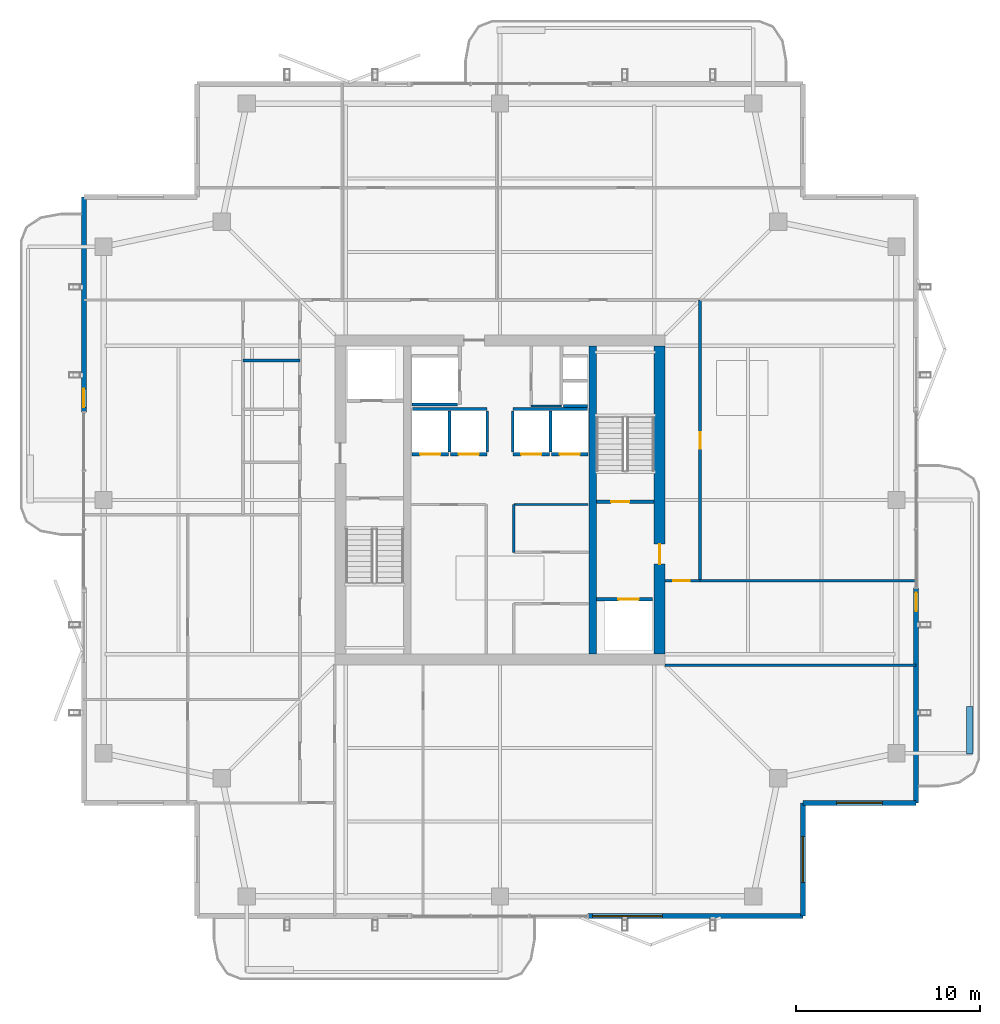
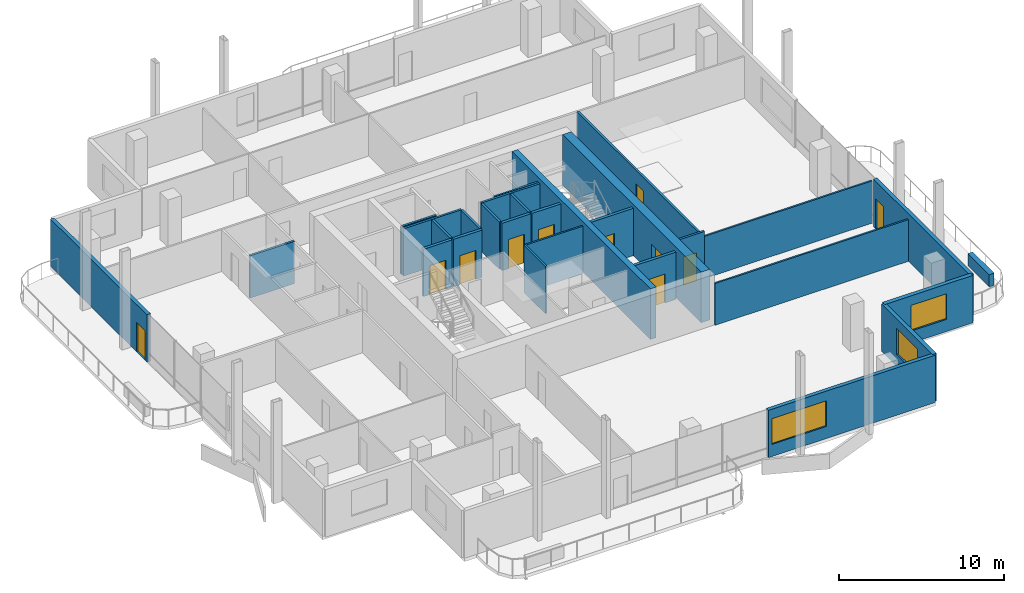
# One storey, part 15 of 20: 30 walls, 11 doors, 3 windows, 14 openings.
"""IFC4 building model written with IfcOpenShell, lengths in metres."""

import ifcopenshell
import ifcopenshell.guid

model = None  # the IFC model being written
_history = None  # IfcOwnerHistory: only IFC2X3 demands one
_inside = {}  # id of a spatial element -> (the spatial element, [elements in it])
_under = {}  # id of a project, library or spatial element -> (it, [spatial elements below it])
_declared = {}  # id of a project -> (the project, [libraries it declares])
_typed = {}  # id of a type object -> (the type object, [elements of that type])
_made_of = {}  # id of a material, layer set ... -> (it, [elements and type objects made of it])


def new_model(schema):
    """Start an empty IFC model of exactly this schema.

    Asked for "IFC4X3", IfcOpenShell would pick the latest addendum, in which some entities
    have other attributes; the version numbers below select the first issue.
    IFC2X3 requires an IfcOwnerHistory on every rooted entity: one is made here for all.
    """
    global model, _history
    if schema == "IFC4X3":
        model = ifcopenshell.file(schema_version=(4, 3, 0, 0))
    else:
        model = ifcopenshell.file(schema=schema)
    _inside.clear()
    _under.clear()
    _declared.clear()
    _typed.clear()
    _made_of.clear()
    _history = None
    if model.schema == "IFC2X3":
        org = make("IfcOrganization", Name="unknown")
        user = make(
            "IfcPersonAndOrganization",
            ThePerson=make("IfcPerson", FamilyName="unknown"),
            TheOrganization=org,
        )
        app = make(
            "IfcApplication",
            ApplicationDeveloper=org,
            Version="unknown",
            ApplicationFullName="unknown",
            ApplicationIdentifier="unknown",
        )
        _history = make(
            "IfcOwnerHistory",
            OwningUser=user,
            OwningApplication=app,
            ChangeAction="ADDED",
            CreationDate=0,
        )
    return model


def make(cls, **values):
    """One entity of the class cls with the attributes given. An attribute that is None is left unset."""
    return model.create_entity(
        cls, **{name: value for name, value in values.items() if value is not None}
    )


def rooted(cls, **values):
    """An entity with a GlobalId (a new one), such as an element, a storey or a relation."""
    return make(cls, GlobalId=ifcopenshell.guid.new(), OwnerHistory=_history, **values)


def si_unit(unit_type, name, prefix=None):
    """IfcSIUnit, for example si_unit("LENGTHUNIT", "METRE", prefix="MILLI")."""
    return make("IfcSIUnit", UnitType=unit_type, Prefix=prefix, Name=name)


def assignment(units):
    """IfcUnitAssignment: the units of a project."""
    return None if units is None else make("IfcUnitAssignment", Units=units)


def point(xyz):
    """IfcCartesianPoint."""
    return None if xyz is None else make("IfcCartesianPoint", Coordinates=xyz)


def direction(xyz):
    """IfcDirection."""
    return None if xyz is None else make("IfcDirection", DirectionRatios=xyz)


def frame(location, z_axis=None, x_axis=None):
    """IfcAxis2Placement3D, a coordinate frame: its origin and axes. An axis left out is left unset."""
    return make(
        "IfcAxis2Placement3D",
        Location=point(location),
        Axis=direction(z_axis),
        RefDirection=direction(x_axis),
    )


def frame_2d(location, x_axis=None):
    """IfcAxis2Placement2D, a coordinate frame in the plane: its origin and x axis."""
    return make(
        "IfcAxis2Placement2D", Location=point(location), RefDirection=direction(x_axis)
    )


def origin():
    """The frame at (0, 0, 0) with its axes left unset."""
    return frame((0.0, 0.0, 0.0))


def place(relative_to, where):
    """IfcLocalPlacement: puts the frame where relative to a parent placement (None: the world)."""
    return make(
        "IfcLocalPlacement", PlacementRelTo=relative_to, RelativePlacement=where
    )


def context(
    kind, dimensions, precision=None, world=None, true_north=None, identifier=None
):
    """IfcGeometricRepresentationContext, for example the 3D "Model" context."""
    return make(
        "IfcGeometricRepresentationContext",
        ContextIdentifier=identifier,
        ContextType=kind,
        CoordinateSpaceDimension=dimensions,
        Precision=precision,
        WorldCoordinateSystem=world,
        TrueNorth=true_north,
    )


def subcontext(parent, identifier, kind, view, scale=None):
    """IfcGeometricRepresentationSubContext, for example "Body" below "Model"."""
    return make(
        "IfcGeometricRepresentationSubContext",
        ContextIdentifier=identifier,
        ContextType=kind,
        ParentContext=parent,
        TargetScale=scale,
        TargetView=view,
    )


def project(units=None, contexts=None):
    """IfcProject with its units and contexts."""
    return rooted(
        "IfcProject",
        Name="project",
        RepresentationContexts=contexts,
        UnitsInContext=assignment(units),
    )


def spatial(cls, under=None, at=None, **own):
    """A site, building, storey or space (cls), placed at a placement, below another one or the project."""
    s = rooted(cls, ObjectPlacement=at, **own)
    if under is not None:
        _under.setdefault(under.id(), (under, []))[1].append(s)
    return s


def profile(cls, at=None, kind="AREA", **sizes):
    """A parametric profile (cls). Its sizes go by their IFC names, for example OverallWidth=200.0."""
    return make(cls, ProfileType=kind, Position=at, **sizes)


def rectangle(**sizes):
    """IfcRectangleProfileDef."""
    return profile("IfcRectangleProfileDef", **sizes)


def extrude(swept, where, along, depth):
    """IfcExtrudedAreaSolid: the profile swept, set in the frame where, extruded along a direction by depth."""
    return make(
        "IfcExtrudedAreaSolid",
        SweptArea=swept,
        Position=where,
        ExtrudedDirection=direction(along),
        Depth=depth,
    )


def shape(context_of_items, identifier, shape_type, items):
    """IfcShapeRepresentation: the items that make up one representation, for example the "Body"."""
    return make(
        "IfcShapeRepresentation",
        ContextOfItems=context_of_items,
        RepresentationIdentifier=identifier,
        RepresentationType=shape_type,
        Items=items,
    )


def material(Name=None, Category=None):
    """IfcMaterial."""
    return make("IfcMaterial", Name=Name, Category=Category)


def layer(
    of_material, thickness, ventilated=None, Name=None, Category=None, Priority=None
):
    """IfcMaterialLayer: one layer of a wall or slab, of a material (None: an air gap)."""
    return make(
        "IfcMaterialLayer",
        Material=of_material,
        LayerThickness=thickness,
        IsVentilated=ventilated,
        Name=Name,
        Category=Category,
        Priority=Priority,
    )


def layer_set(layers, Name=None):
    """IfcMaterialLayerSet."""
    return make("IfcMaterialLayerSet", MaterialLayers=layers, LayerSetName=Name)


def made_of(thing, what):
    """Note that an element or type object is made of a material, layer set ...; save() writes the relation."""
    if what is not None:
        _made_of.setdefault(what.id(), (what, []))[1].append(thing)
    return thing


def type_object(cls, material=None, **own):
    """A type object (cls), such as IfcWallType, which elements share."""
    return made_of(rooted(cls, **own), material)


def element(
    cls,
    number,
    at=None,
    inside=None,
    cuts=None,
    type_object=None,
    material=None,
    context=None,
    identifier="Body",
    shape_type=None,
    held_by="IfcProductDefinitionShape",
    body=None,
    shapes=None,
    **own,
):
    """One element of the class cls, such as IfcWall. Its Tag is "e" and its number.

    at: its placement. inside: the storey or other place that contains it. cuts: it is an
    opening in that element (IfcRelVoidsElement). A single representation is given by context,
    identifier, shape_type and body (its items); several are given by shapes. held_by: the class
    of the entity that holds the representations. save() writes the other relations.
    """
    e = rooted(cls, Tag="e%d" % number, ObjectPlacement=at, **own)
    if body is not None:
        shapes = [shape(context, identifier, shape_type, body)]
    if shapes is not None:
        e.Representation = make(held_by, Representations=shapes)
    if inside is not None:
        _inside.setdefault(inside.id(), (inside, []))[1].append(e)
    if cuts is not None:
        rooted(
            "IfcRelVoidsElement", RelatingBuildingElement=cuts, RelatedOpeningElement=e
        )
    if type_object is not None:
        _typed.setdefault(type_object.id(), (type_object, []))[1].append(e)
    return made_of(e, material)


def fill(opening, filler):
    """IfcRelFillsElement: the door or window that sits in an opening."""
    return rooted(
        "IfcRelFillsElement",
        RelatingOpeningElement=opening,
        RelatedBuildingElement=filler,
    )


def aggregate(whole, parts):
    """IfcRelAggregates: a whole, such as a stair, and the parts it consists of."""
    return rooted("IfcRelAggregates", RelatingObject=whole, RelatedObjects=parts)


def save(model, path):
    """Write the relations noted so far, then the file.

    IfcRelAggregates (storeys below a building ...), IfcRelContainedInSpatialStructure (elements
    in a storey), IfcRelDefinesByType, IfcRelAssociatesMaterial and IfcRelDeclares: one each for
    every whole, place, type object, material and project.
    """
    for whole, parts in _under.values():
        aggregate(whole, parts)
    for where, things in _inside.values():
        rooted(
            "IfcRelContainedInSpatialStructure",
            RelatedElements=things,
            RelatingStructure=where,
        )
    for kind, things in _typed.values():
        rooted("IfcRelDefinesByType", RelatedObjects=things, RelatingType=kind)
    for what, things in _made_of.values():
        rooted("IfcRelAssociatesMaterial", RelatedObjects=things, RelatingMaterial=what)
    for by, libraries in _declared.values():
        rooted("IfcRelDeclares", RelatingContext=by, RelatedDefinitions=libraries)
    model.write(path)


model = new_model("IFC4")

# Units and contexts
model_context = context("Model", 3, precision=1e-05, world=origin(), true_north=direction((0.0, 1.0)))
body_context = subcontext(model_context, "Body", "Model", "MODEL_VIEW")
ifc_project = project(units=[si_unit("LENGTHUNIT", "METRE"), si_unit("AREAUNIT", "SQUARE_METRE"), si_unit("VOLUMEUNIT", "CUBIC_METRE"), si_unit("PLANEANGLEUNIT", "RADIAN"), si_unit("MASSUNIT", "GRAM", prefix="KILO")], contexts=[model_context])

# Site, building, storey
site_placement = place(None, origin())
site = spatial("IfcSite", under=ifc_project, at=site_placement, CompositionType="ELEMENT")
building_placement = place(site_placement, origin())
building = spatial("IfcBuilding", under=site, at=building_placement, Name="Belovzor Exchange Tower", CompositionType="ELEMENT")
storey_placement = place(building_placement, frame((0.0, 0.0, 314.25)))
storey = spatial("IfcBuildingStorey", under=building, at=storey_placement, Name="L78", CompositionType="ELEMENT", Elevation=314.25)

# Walls
ifc_material_1 = material(Name="Acoustic Plasterboard on Galvanised Studs", Category="gypsum")
ifc_layer_1 = layer(ifc_material_1, 0.1201171875)
ifc_layer_set_1 = layer_set([ifc_layer_1], Name="Acoustic Plasterboard on Galvanised Studs")
wall_type_1 = type_object("IfcWallType", Name="Acoustic Double-Stud Partition Wall 120", PredefinedType="PARTITIONING", material=ifc_layer_set_1)
wall_1_placement = place(storey_placement, frame((37.800048828125, 19.800048828125, 0.0), z_axis=(0.0, 0.0, 1.0), x_axis=(1.0, 0.0, 0.0)))
element("IfcWall", 1, at=wall_1_placement, inside=storey, type_object=wall_type_1, Name="W-P120 Partition Wall W-L78-ESS", PredefinedType="PARTITIONING", context=body_context, shape_type="SweptSolid", body=[
    extrude(rectangle(XDim=13.669921875, YDim=0.1201171875, at=frame_2d((6.8349609375, 0.0))), origin(), (0.0, 0.0, 1.0), 3.094970703125),
])
wall_2_placement = place(storey_placement, frame((39.699951171875, 24.39990234375, 0.0), z_axis=(0.0, 0.0, 1.0), x_axis=(1.0, 0.0, 0.0)))
element("IfcWall", 2, at=wall_2_placement, inside=storey, type_object=wall_type_1, Name="W-P120 Partition Wall W-L78-ESN", PredefinedType="PARTITIONING", context=body_context, shape_type="SweptSolid", body=[
    extrude(rectangle(XDim=11.77001953125, YDim=0.1201171875, at=frame_2d((5.885009765625, 0.0))), origin(), (0.0, 0.0, 1.0), 3.135009765625),
])
ifc_material_2 = material(Name="Fire-Rated Plasterboard on Galvanised Studs", Category="gypsum")
ifc_layer_2 = layer(ifc_material_2, 0.1201171875)
ifc_layer_set_2 = layer_set([ifc_layer_2], Name="Fire-Rated Plasterboard on Galvanised Studs")
wall_type_2 = type_object("IfcWallType", Name="Fire-Rated Double-Stud Partition Wall 120", PredefinedType="PARTITIONING", material=ifc_layer_set_2)
wall_3_placement = place(storey_placement, frame((30.5, 33.925048828125, 0.0), z_axis=(0.0, 0.0, 1.0), x_axis=(1.0, 0.0, 0.0)))
element("IfcWall", 3, at=wall_3_placement, inside=storey, type_object=wall_type_2, Name="W-P120F Partition Wall W-CRV-L78-S", PredefinedType="PARTITIONING", context=body_context, shape_type="SweptSolid", body=[
    extrude(rectangle(XDim=1.64990234375, YDim=0.1201171875, at=frame_2d((0.824951171875, 0.0))), origin(), (0.0, 0.0, 1.0), 3.510009765625),
])
wall_4_placement = place(storey_placement, frame((29.550048828125, 28.550048828125, 0.0), z_axis=(0.0, 0.0, 1.0), x_axis=(1.0, 0.0, 0.0)))
element("IfcWall", 4, at=wall_4_placement, inside=storey, type_object=wall_type_2, Name="W-P120F Partition Wall W-CRM-L78-EN", PredefinedType="PARTITIONING", context=body_context, shape_type="SweptSolid", body=[
    extrude(rectangle(XDim=4.050048828125, YDim=0.1201171875, at=frame_2d((2.02490234375, 0.0))), origin(), (0.0, 0.0, 1.0), 3.510009765625),
])
wall_5_placement = place(storey_placement, frame((29.550048828125, 25.949951171875, 0.0), z_axis=(0.0, 0.0, 1.0), x_axis=(0.0, 1.0, 0.0)))
element("IfcWall", 5, at=wall_5_placement, inside=storey, type_object=wall_type_2, Name="W-P120F Partition Wall W-CRM-L78-EW", PredefinedType="PARTITIONING", context=body_context, shape_type="SweptSolid", body=[
    extrude(rectangle(XDim=2.60009765625, YDim=0.1201171875, at=frame_2d((1.300048828125, 0.0))), origin(), (0.0, 0.0, 1.0), 3.510009765625),
])
ifc_material_3 = material(Name="Fire-Rated Gypsum Block and Mineral Wool", Category="gypsum")
ifc_layer_3 = layer(ifc_material_3, 0.14990234375)
ifc_layer_set_3 = layer_set([ifc_layer_3], Name="Fire-Rated Gypsum Block and Mineral Wool")
wall_type_3 = type_object("IfcWallType", Name="Fire-Rated Gypsum Block Corridor Wall 150", PredefinedType="PARTITIONING", material=ifc_layer_set_3)
wall_6_placement = place(storey_placement, frame((14.800048828125, 36.39990234375, 0.0), z_axis=(0.0, 0.0, 1.0), x_axis=(1.0, 0.0, 0.0)))
element("IfcWall", 6, at=wall_6_placement, inside=storey, type_object=wall_type_3, Name="W-P150 Partition Wall W-L78-WCN", PredefinedType="PARTITIONING", context=body_context, shape_type="SweptSolid", body=[
    extrude(rectangle(XDim=3.099853515625, YDim=0.14990234375, at=frame_2d((1.5498046875, 0.0))), origin(), (0.0, 0.0, 1.0), 3.135009765625),
])

# Wall, opening, door
wall_7_placement = place(storey_placement, frame((37.800048828125, 24.39990234375, 0.0), z_axis=(0.0, 0.0, 1.0), x_axis=(1.0, 0.0, 0.0)))
wall_7 = element("IfcWall", 7, at=wall_7_placement, inside=storey, type_object=wall_type_3, Name="W-P150 Partition Wall W-L78-CE-END", PredefinedType="PARTITIONING", context=body_context, shape_type="SweptSolid", body=[
    extrude(rectangle(XDim=1.89990234375, YDim=0.14990234375, at=frame_2d((0.949951171875, 0.0))), origin(), (0.0, 0.0, 1.0), 3.510009765625),
])
opening_1_placement = place(wall_7_placement, frame((0.449951171875, 0.0, 0.0)))
opening_1 = element("IfcOpeningElement", 8, at=opening_1_placement, cuts=wall_7, Name="Opening D-FD60-090", PredefinedType="OPENING", context=body_context, shape_type="SweptSolid", body=[
    extrude(rectangle(XDim=0.89990234375, YDim=2.10009765625, at=frame_2d((0.449951171875, 1.050048828125))), frame((0.0, 0.0849609375, 0.0), z_axis=(0.0, -1.0, 0.0), x_axis=(1.0, 0.0, 0.0)), (0.0, 0.0, 1.0), 0.169921875),
])
ifc_material_4 = material(Name="Acoustic Timber Fire Leaf", Category="wood")
door_type_1 = type_object("IfcDoorType", Name="Core Service & Restroom Fire Door 900x2100", OperationType="NOTDEFINED", PredefinedType="DOOR", material=ifc_material_4)
door_1_placement = place(opening_1_placement, origin())
door_1 = element("IfcDoor", 9, at=door_1_placement, inside=storey, type_object=door_type_1, Name="D-FD60-090 Core Service & Restroom Fire Door 900x2100", OperationType="SINGLE_SWING_LEFT", OverallHeight=2.10009765625, OverallWidth=0.89990234375, PredefinedType="DOOR", context=body_context, shape_type="SweptSolid", body=[
    extrude(rectangle(XDim=0.89990234375, YDim=2.10009765625, at=frame_2d((0.449951171875, 1.050048828125))), frame((0.0, 0.02490234375, 0.0), z_axis=(0.0, -1.0, 0.0), x_axis=(1.0, 0.0, 0.0)), (0.0, 0.0, 1.0), 0.050048828125),
])
fill(opening_1, door_1)

wall_8_placement = place(storey_placement, frame((39.699951171875, 24.39990234375, 0.0), z_axis=(0.0, 0.0, 1.0), x_axis=(0.0, 1.0, 0.0)))
wall_8 = element("IfcWall", 10, at=wall_8_placement, inside=storey, type_object=wall_type_3, Name="W-P150 Partition Wall W-L78-CE", PredefinedType="PARTITIONING", context=body_context, shape_type="SweptSolid", body=[
    extrude(rectangle(XDim=15.300048828125, YDim=0.14990234375, at=frame_2d((7.64990234375, 0.0))), origin(), (0.0, 0.0, 1.0), 3.094970703125),
])
opening_2_placement = place(wall_8_placement, frame((7.199951171875, 0.0, 0.0)))
opening_2 = element("IfcOpeningElement", 11, at=opening_2_placement, cuts=wall_8, Name="Opening D-INT-090", PredefinedType="OPENING", context=body_context, shape_type="SweptSolid", body=[
    extrude(rectangle(XDim=0.89990234375, YDim=2.10009765625, at=frame_2d((0.449951171875, 1.050048828125))), frame((0.0, 0.0849609375, 0.0), z_axis=(0.0, -1.0, 0.0), x_axis=(1.0, 0.0, 0.0)), (0.0, 0.0, 1.0), 0.169921875),
])
ifc_material_5 = material(Name="Veneered Hardwood Acoustic Leaf", Category="wood")
door_type_2 = type_object("IfcDoorType", Name="Trading Suite Acoustic Single Door 900x2100", OperationType="NOTDEFINED", PredefinedType="DOOR", material=ifc_material_5)
door_2_placement = place(opening_2_placement, origin())
door_2 = element("IfcDoor", 12, at=door_2_placement, inside=storey, type_object=door_type_2, Name="D-INT-090 Trading Suite Acoustic Single Door 900x2100", OperationType="SINGLE_SWING_RIGHT", OverallHeight=2.10009765625, OverallWidth=0.89990234375, PredefinedType="DOOR", context=body_context, shape_type="SweptSolid", body=[
    extrude(rectangle(XDim=0.89990234375, YDim=2.10009765625, at=frame_2d((0.449951171875, 1.050048828125))), frame((0.0, 0.02490234375, 0.0), z_axis=(0.0, -1.0, 0.0), x_axis=(1.0, 0.0, 0.0)), (0.0, 0.0, 1.0), 0.050048828125),
])
fill(opening_2, door_2)

# Wall, opening, window
ifc_material_6 = material(Name="Precast concrete C40/50", Category="concrete")
ifc_layer_4 = layer(ifc_material_6, 0.280029296875)
ifc_layer_set_4 = layer_set([ifc_layer_4], Name="Precast concrete C40/50")
wall_type_4 = type_object("IfcWallType", Name="Precast Concrete Notched Corner Frame Wall 280", PredefinedType="SOLIDWALL", material=ifc_layer_set_4)
wall_9_placement = place(storey_placement, frame((51.469970703125, 12.300048828125, 0.0), z_axis=(0.0, 0.0, 1.0), x_axis=(-1.0, 0.0, 0.0)))
wall_9 = element("IfcWall", 13, at=wall_9_placement, inside=storey, type_object=wall_type_4, Name="W-CRN280 Precast Concrete Notched Corner Frame Wall 280 L78", PredefinedType="SOLIDWALL", context=body_context, shape_type="SweptSolid", body=[
    extrude(rectangle(XDim=6.169921875, YDim=0.280029296875, at=frame_2d((3.0849609375, 0.0))), origin(), (0.0, 0.0, 1.0), 3.510009765625),
])
opening_3_placement = place(wall_9_placement, frame((1.8349609375, 0.0, 0.89990234375)))
opening_3 = element("IfcOpeningElement", 14, at=opening_3_placement, cuts=wall_9, Name="Opening WN-CRN250", PredefinedType="OPENING", context=body_context, shape_type="SweptSolid", body=[
    extrude(rectangle(XDim=2.5, YDim=1.89990234375, at=frame_2d((1.25, 0.949951171875))), frame((0.0, 0.14990234375, 0.0), z_axis=(0.0, -1.0, 0.0), x_axis=(1.0, 0.0, 0.0)), (0.0, 0.0, 1.0), 0.300048828125),
])
ifc_material_7 = material(Name="Thermally Broken Aluminium and Triple Glazing", Category="aluminium")
window_type_1 = type_object("IfcWindowType", Name="Streamline Moderne Corner Wrap Ribbon Window 2500x1900", PartitioningType="SINGLE_PANEL", PredefinedType="WINDOW", material=ifc_material_7)
window_1_placement = place(opening_3_placement, origin())
window_1 = element("IfcWindow", 15, at=window_1_placement, inside=storey, type_object=window_type_1, Name="WN-CRN250 Streamline Moderne Corner Wrap Ribbon Window 2500x1900", OverallHeight=1.89990234375, OverallWidth=2.5, PartitioningType="SINGLE_PANEL", PredefinedType="WINDOW", context=body_context, shape_type="SweptSolid", body=[
    extrude(rectangle(XDim=2.5, YDim=1.89990234375, at=frame_2d((1.25, 0.949951171875))), frame((0.0, 0.030029296875, 0.0), z_axis=(0.0, -1.0, 0.0), x_axis=(1.0, 0.0, 0.0)), (0.0, 0.0, 1.0), 0.06005859375),
])
fill(opening_3, window_1)

wall_10_placement = place(storey_placement, frame((45.300048828125, 12.300048828125, 0.0), z_axis=(0.0, 0.0, 1.0), x_axis=(0.0, -1.0, 0.0)))
wall_10 = element("IfcWall", 16, at=wall_10_placement, inside=storey, type_object=wall_type_4, Name="W-CRN280 Precast Concrete Notched Corner Frame Wall 280 L78", PredefinedType="SOLIDWALL", context=body_context, shape_type="SweptSolid", body=[
    extrude(rectangle(XDim=6.170166015625, YDim=0.280029296875, at=frame_2d((3.0849609375, 0.0))), origin(), (0.0, 0.0, 1.0), 3.510009765625),
])
opening_4_placement = place(wall_10_placement, frame((1.8349609375, 0.0, 0.89990234375)))
opening_4 = element("IfcOpeningElement", 17, at=opening_4_placement, cuts=wall_10, Name="Opening WN-CRN250", PredefinedType="OPENING", context=body_context, shape_type="SweptSolid", body=[
    extrude(rectangle(XDim=2.5, YDim=1.89990234375, at=frame_2d((1.25, 0.949951171875))), frame((0.0, 0.14990234375, 0.0), z_axis=(0.0, -1.0, 0.0), x_axis=(1.0, 0.0, 0.0)), (0.0, 0.0, 1.0), 0.300048828125),
])
window_2_placement = place(opening_4_placement, origin())
window_2 = element("IfcWindow", 18, at=window_2_placement, inside=storey, type_object=window_type_1, Name="WN-CRN250 Streamline Moderne Corner Wrap Ribbon Window 2500x1900", OverallHeight=1.89990234375, OverallWidth=2.5, PartitioningType="SINGLE_PANEL", PredefinedType="WINDOW", context=body_context, shape_type="SweptSolid", body=[
    extrude(rectangle(XDim=2.5, YDim=1.89990234375, at=frame_2d((1.25, 0.949951171875))), frame((0.0, 0.030029296875, 0.0), z_axis=(0.0, -1.0, 0.0), x_axis=(1.0, 0.0, 0.0)), (0.0, 0.0, 1.0), 0.06005859375),
])
fill(opening_4, window_2)

ifc_material_8 = material(Name="Precast concrete C40/50", Category="concrete")
ifc_layer_5 = layer(ifc_material_8, 0.260009765625)
ifc_layer_set_5 = layer_set([ifc_layer_5], Name="Precast concrete C40/50")
wall_type_5 = type_object("IfcWallType", Name="Precast Concrete Perimeter Loggia Frame Wall 260", PredefinedType="SOLIDWALL", material=ifc_layer_set_5)
wall_11_placement = place(storey_placement, frame((45.300048828125, 6.1298828125, 0.0), z_axis=(0.0, 0.0, 1.0), x_axis=(-1.0, 0.0, 0.0)))
wall_11 = element("IfcWall", 19, at=wall_11_placement, inside=storey, type_object=wall_type_5, Name="W-EXT260 Precast Concrete Perimeter Loggia Frame Wall 260 L78", PredefinedType="SOLIDWALL", context=body_context, shape_type="SweptSolid", body=[
    extrude(rectangle(XDim=11.699951171875, YDim=0.260009765625, at=frame_2d((5.85009765625, 0.0))), origin(), (0.0, 0.0, 1.0), 3.510009765625),
])
opening_5_placement = place(wall_11_placement, frame((7.64990234375, 0.0, 0.89990234375)))
opening_5 = element("IfcOpeningElement", 20, at=opening_5_placement, cuts=wall_11, Name="Opening WN-RIB380", PredefinedType="OPENING", context=body_context, shape_type="SweptSolid", body=[
    extrude(rectangle(XDim=3.800048828125, YDim=1.89990234375, at=frame_2d((1.89990234375, 0.949951171875))), frame((0.0, 0.139892578125, 0.0), z_axis=(0.0, -1.0, 0.0), x_axis=(1.0, 0.0, 0.0)), (0.0, 0.0, 1.0), 0.280029296875),
])
ifc_material_9 = material(Name="Thermally Broken Aluminium and Triple Glazing", Category="aluminium")
window_type_2 = type_object("IfcWindowType", Name="Streamline Moderne Horizontal Ribbon Window 3800x1900", PartitioningType="SINGLE_PANEL", PredefinedType="WINDOW", material=ifc_material_9)
window_3_placement = place(opening_5_placement, origin())
window_3 = element("IfcWindow", 21, at=window_3_placement, inside=storey, type_object=window_type_2, Name="WN-RIB380 Streamline Moderne Horizontal Ribbon Window 3800x1900", OverallHeight=1.89990234375, OverallWidth=3.800048828125, PartitioningType="SINGLE_PANEL", PredefinedType="WINDOW", context=body_context, shape_type="SweptSolid", body=[
    extrude(rectangle(XDim=3.800048828125, YDim=1.89990234375, at=frame_2d((1.89990234375, 0.949951171875))), frame((0.0, 0.030029296875, 0.0), z_axis=(0.0, -1.0, 0.0), x_axis=(1.0, 0.0, 0.0)), (0.0, 0.0, 1.0), 0.06005859375),
])
fill(opening_5, window_3)

# Wall, opening, door
wall_12_placement = place(storey_placement, frame((6.1298828125, 33.60009765625, 0.0), z_axis=(0.0, 0.0, 1.0), x_axis=(0.0, 1.0, 0.0)))
wall_12 = element("IfcWall", 22, at=wall_12_placement, inside=storey, type_object=wall_type_5, Name="W-EXT260 Precast Concrete Perimeter Loggia Frame Wall 260 L78", PredefinedType="SOLIDWALL", context=body_context, shape_type="SweptSolid", body=[
    extrude(rectangle(XDim=11.699951171875, YDim=0.260009765625, at=frame_2d((5.85009765625, 0.0))), origin(), (0.0, 0.0, 1.0), 3.510009765625),
])
opening_6_placement = place(wall_12_placement, frame((0.25, 0.0, 0.0)))
opening_6 = element("IfcOpeningElement", 23, at=opening_6_placement, cuts=wall_12, Name="Opening D-BAL100", PredefinedType="OPENING", context=body_context, shape_type="SweptSolid", body=[
    extrude(rectangle(XDim=1.0, YDim=2.199951171875, at=frame_2d((0.5, 1.10009765625))), frame((0.0, 0.139892578125, 0.0), z_axis=(0.0, -1.0, 0.0), x_axis=(1.0, 0.0, 0.0)), (0.0, 0.0, 1.0), 0.280029296875),
])
ifc_material_10 = material(Name="Thermally Broken Anodised Aluminium and Laminated Glass", Category="aluminium")
door_type_3 = type_object("IfcDoorType", Name="Planted Loggia Terrace Glazed Door 1000x2200", OperationType="SINGLE_SWING_LEFT", PredefinedType="DOOR", material=ifc_material_10)
door_3_placement = place(opening_6_placement, origin())
door_3 = element("IfcDoor", 24, at=door_3_placement, inside=storey, type_object=door_type_3, Name="D-BAL100 Balcony Terrace Door L78 W", OperationType="SINGLE_SWING_RIGHT", OverallHeight=2.199951171875, OverallWidth=1.0, PredefinedType="DOOR", context=body_context, shape_type="SweptSolid", body=[
    extrude(rectangle(XDim=1.0, YDim=2.199951171875, at=frame_2d((0.5, 1.10009765625))), frame((0.0, 0.02490234375, 0.0), z_axis=(0.0, -1.0, 0.0), x_axis=(1.0, 0.0, 0.0)), (0.0, 0.0, 1.0), 0.050048828125),
])
fill(opening_6, door_3)

wall_13_placement = place(storey_placement, frame((51.469970703125, 24.0, 0.0), z_axis=(0.0, 0.0, 1.0), x_axis=(0.0, -1.0, 0.0)))
wall_13 = element("IfcWall", 25, at=wall_13_placement, inside=storey, type_object=wall_type_5, Name="W-EXT260 Precast Concrete Perimeter Loggia Frame Wall 260 L78", PredefinedType="SOLIDWALL", context=body_context, shape_type="SweptSolid", body=[
    extrude(rectangle(XDim=11.699951171875, YDim=0.260009765625, at=frame_2d((5.85009765625, 0.0))), origin(), (0.0, 0.0, 1.0), 3.510009765625),
])
opening_7_placement = place(wall_13_placement, frame((0.25, 0.0, 0.0)))
opening_7 = element("IfcOpeningElement", 26, at=opening_7_placement, cuts=wall_13, Name="Opening D-BAL100", PredefinedType="OPENING", context=body_context, shape_type="SweptSolid", body=[
    extrude(rectangle(XDim=1.0, YDim=2.199951171875, at=frame_2d((0.5, 1.10009765625))), frame((0.0, 0.139892578125, 0.0), z_axis=(0.0, -1.0, 0.0), x_axis=(1.0, 0.0, 0.0)), (0.0, 0.0, 1.0), 0.280029296875),
])
door_4_placement = place(opening_7_placement, origin())
door_4 = element("IfcDoor", 27, at=door_4_placement, inside=storey, type_object=door_type_3, Name="D-BAL100 Balcony Terrace Door L78 E", OperationType="SINGLE_SWING_LEFT", OverallHeight=2.199951171875, OverallWidth=1.0, PredefinedType="DOOR", context=body_context, shape_type="SweptSolid", body=[
    extrude(rectangle(XDim=1.0, YDim=2.199951171875, at=frame_2d((0.5, 1.10009765625))), frame((0.0, 0.02490234375, 0.0), z_axis=(0.0, -1.0, 0.0), x_axis=(1.0, 0.0, 0.0)), (0.0, 0.0, 1.0), 0.050048828125),
])
fill(opening_7, door_4)

# Walls
ifc_material_11 = material(Name="Precast concrete C40/50", Category="concrete")
ifc_layer_6 = layer(ifc_material_11, 0.35009765625)
ifc_layer_set_6 = layer_set([ifc_layer_6], Name="Precast concrete C40/50")
wall_type_6 = type_object("IfcWallType", Name="Precast Concrete Structural Tree Planter Trough 350", PredefinedType="PARAPET", material=ifc_layer_set_6)
wall_14_placement = place(storey_placement, frame((54.39990234375, 14.949951171875, 0.0), z_axis=(0.0, 0.0, 1.0), x_axis=(0.0, 1.0, 0.0)))
element("IfcWall", 28, at=wall_14_placement, inside=storey, type_object=wall_type_6, Name="PT-350 Precast Concrete Structural Tree Planter Trough 350 L78", PredefinedType="PARAPET", context=body_context, shape_type="SweptSolid", body=[
    extrude(rectangle(XDim=2.60009765625, YDim=0.35009765625, at=frame_2d((1.300048828125, 0.0))), origin(), (0.0, 0.0, 1.0), 0.89990234375),
])
ifc_material_12 = material(Name="Concrete C50/60", Category="concrete")
ifc_layer_7 = layer(ifc_material_12, 0.39990234375)
ifc_layer_set_7 = layer_set([ifc_layer_7], Name="Concrete C50/60")
wall_type_7 = type_object("IfcWallType", Name="Reinforced Concrete Core Internal Web Wall 400", PredefinedType="SHEAR", material=ifc_layer_set_7)
wall_15_placement = place(storey_placement, frame((33.85009765625, 20.39990234375, 0.0), z_axis=(0.0, 0.0, 1.0), x_axis=(0.0, 1.0, 0.0)))
element("IfcWall", 29, at=wall_15_placement, inside=storey, type_object=wall_type_7, Name="CW-W040 Core Internal Web Wall L78 ER", PredefinedType="SHEAR", context=body_context, shape_type="SweptSolid", body=[
    extrude(rectangle(XDim=16.800048828125, YDim=0.39990234375, at=frame_2d((8.39990234375, 0.0))), origin(), (0.0, 0.0, 1.0), 3.75),
])
ifc_material_13 = material(Name="Concrete C50/60", Category="concrete")
ifc_layer_8 = layer(ifc_material_13, 0.14990234375)
ifc_layer_set_8 = layer_set([ifc_layer_8], Name="Concrete C50/60")
wall_type_8 = type_object("IfcWallType", Name="Reinforced Concrete Core Riser Shear Wall 150", PredefinedType="SHEAR", material=ifc_layer_set_8)
wall_16_placement = place(storey_placement, frame((32.25, 33.925048828125, 0.0), z_axis=(0.0, 0.0, 1.0), x_axis=(1.0, 0.0, 0.0)))
element("IfcWall", 30, at=wall_16_placement, inside=storey, type_object=wall_type_8, Name="W-C150S Core Shaft Wall W-RSR-L78-S", PredefinedType="SHEAR", context=body_context, shape_type="SweptSolid", body=[
    extrude(rectangle(XDim=1.330078125, YDim=0.14990234375, at=frame_2d((0.6650390625, 0.0))), origin(), (0.0, 0.0, 1.0), 3.510009765625),
])
wall_17_placement = place(storey_placement, frame((24.0, 34.0, 0.0), z_axis=(0.0, 0.0, 1.0), x_axis=(1.0, 0.0, 0.0)))
element("IfcWall", 31, at=wall_17_placement, inside=storey, type_object=wall_type_8, Name="W-C150S Core Shaft Wall W-SH-L78-SL-01S", PredefinedType="SHEAR", context=body_context, shape_type="SweptSolid", body=[
    extrude(rectangle(XDim=2.47998046875, YDim=0.14990234375, at=frame_2d((1.239990234375, 0.0))), origin(), (0.0, 0.0, 1.0), 3.510009765625),
])
for number, where, z_axis, x_axis, name in (
    (32, (24.02001953125, 33.760009765625, 0.0), (0.0, 0.0, 1.0), (1.0, 0.0, 0.0), "W-C150S Core Shaft Wall W-SHB-L78-PLH-NW"),
    (33, (29.5, 33.760009765625, 0.0), (0.0, 0.0, 1.0), (1.0, 0.0, 0.0), "W-C150S Core Shaft Wall W-SHB-L78-PLH-NE"),
):
    element("IfcWall", number, at=place(storey_placement, frame(where, z_axis=z_axis, x_axis=x_axis)), inside=storey, type_object=wall_type_8, Name=name, PredefinedType="SHEAR", context=body_context, shape_type="SweptSolid", body=[
        extrude(rectangle(XDim=4.080078125, YDim=0.14990234375, at=frame_2d((2.0400390625, 0.0))), origin(), (0.0, 0.0, 1.0), 3.510009765625),
    ])
for number, where, z_axis, x_axis, name in (
    (34, (26.050048828125, 31.419921875, 0.0), (0.0, 0.0, 1.0), (0.0, 1.0, 0.0), "W-C150S Core Shaft Wall W-SHD-L78-PLH-1"),
    (35, (28.10009765625, 31.419921875, 0.0), (0.0, 0.0, 1.0), (0.0, 1.0, 0.0), "W-C150S Core Shaft Wall W-SHD-L78-PLH-2"),
    (36, (29.5, 31.419921875, 0.0), (0.0, 0.0, 1.0), (0.0, 1.0, 0.0), "W-C150S Core Shaft Wall W-SHD-L78-PLH-3"),
    (37, (31.550048828125, 31.419921875, 0.0), (0.0, 0.0, 1.0), (0.0, 1.0, 0.0), "W-C150S Core Shaft Wall W-SHD-L78-PLH-4"),
):
    element("IfcWall", number, at=place(storey_placement, frame(where, z_axis=z_axis, x_axis=x_axis)), inside=storey, type_object=wall_type_8, Name=name, PredefinedType="SHEAR", context=body_context, shape_type="SweptSolid", body=[
        extrude(rectangle(XDim=2.239990234375, YDim=0.14990234375, at=frame_2d((1.1201171875, 0.0))), origin(), (0.0, 0.0, 1.0), 3.510009765625),
    ])

# Wall, opening, door
ifc_material_14 = material(Name="Concrete C50/60", Category="concrete")
ifc_layer_9 = layer(ifc_material_14, 0.199951171875)
ifc_layer_set_9 = layer_set([ifc_layer_9], Name="Concrete C50/60")
wall_type_9 = type_object("IfcWallType", Name="Reinforced Concrete Core Shaft Shear Wall 200", PredefinedType="SHEAR", material=ifc_layer_set_9)
wall_18_placement = place(storey_placement, frame((34.050048828125, 28.699951171875, 0.0), z_axis=(0.0, 0.0, 1.0), x_axis=(1.0, 0.0, 0.0)))
wall_18 = element("IfcWall", 38, at=wall_18_placement, inside=storey, type_object=wall_type_9, Name="W-C200S Core Shaft Wall W-CORE-L78-FFLE2", PredefinedType="SHEAR", context=body_context, shape_type="SweptSolid", body=[
    extrude(rectangle(XDim=3.14990234375, YDim=0.199951171875, at=frame_2d((1.574951171875, 0.0))), origin(), (0.0, 0.0, 1.0), 3.510009765625),
])
opening_8_placement = place(wall_18_placement, frame((0.800048828125, 0.0, 0.0)))
opening_8 = element("IfcOpeningElement", 39, at=opening_8_placement, cuts=wall_18, Name="Opening D-FD90-100", PredefinedType="OPENING", context=body_context, shape_type="SweptSolid", body=[
    extrude(rectangle(XDim=1.0, YDim=2.10009765625, at=frame_2d((0.5, 1.050048828125))), frame((0.0, 0.10986328125, 0.0), z_axis=(0.0, -1.0, 0.0), x_axis=(1.0, 0.0, 0.0)), (0.0, 0.0, 1.0), 0.219970703125),
])
ifc_material_15 = material(Name="Fire-Rated Galvanised Steel Leaf", Category="steel")
door_type_4 = type_object("IfcDoorType", Name="Protected Stairwell Single Fire Door 1000x2100", OperationType="NOTDEFINED", PredefinedType="DOOR", material=ifc_material_15)
door_5_placement = place(opening_8_placement, origin())
door_5 = element("IfcDoor", 40, at=door_5_placement, inside=storey, type_object=door_type_4, Name="D-FD90-100 Protected Stairwell Single Fire Door 1000x2100", OperationType="SINGLE_SWING_LEFT", OverallHeight=2.10009765625, OverallWidth=1.0, PredefinedType="DOOR", context=body_context, shape_type="SweptSolid", body=[
    extrude(rectangle(XDim=1.0, YDim=2.10009765625, at=frame_2d((0.5, 1.050048828125))), frame((0.0, 0.02490234375, 0.0), z_axis=(0.0, -1.0, 0.0), x_axis=(1.0, 0.0, 0.0)), (0.0, 0.0, 1.0), 0.050048828125),
])
fill(opening_8, door_5)

wall_19_placement = place(storey_placement, frame((34.050048828125, 23.39990234375, 0.0), z_axis=(0.0, 0.0, 1.0), x_axis=(1.0, 0.0, 0.0)))
wall_19 = element("IfcWall", 41, at=wall_19_placement, inside=storey, type_object=wall_type_9, Name="W-C200S Core Shaft Wall W-SH-L78-FFL-02", PredefinedType="SHEAR", context=body_context, shape_type="SweptSolid", body=[
    extrude(rectangle(XDim=3.050048828125, YDim=0.199951171875, at=frame_2d((1.52490234375, 0.0))), origin(), (0.0, 0.0, 1.0), 3.510009765625),
])
opening_9_placement = place(wall_19_placement, frame((1.199951171875, 0.0, 0.0)))
opening_9 = element("IfcOpeningElement", 42, at=opening_9_placement, cuts=wall_19, Name="Opening LD-110", PredefinedType="OPENING", context=body_context, shape_type="SweptSolid", body=[
    extrude(rectangle(XDim=1.10009765625, YDim=2.14990234375, at=frame_2d((0.550048828125, 1.074951171875))), frame((0.0, 0.10986328125, 0.0), z_axis=(0.0, -1.0, 0.0), x_axis=(1.0, 0.0, 0.0)), (0.0, 0.0, 1.0), 0.219970703125),
])
ifc_material_16 = material(Name="Stainless Steel Grade 304", Category="steel")
door_type_5 = type_object("IfcDoorType", Name="Automated Stainless Steel Lift Landing Door 1100x2150", OperationType="SLIDING_TO_RIGHT", PredefinedType="DOOR", material=ifc_material_16)
door_6_placement = place(opening_9_placement, origin())
door_6 = element("IfcDoor", 43, at=door_6_placement, inside=storey, type_object=door_type_5, Name="LD-110 Automated Stainless Steel Lift Landing Door 1100x2150", OperationType="SLIDING_TO_RIGHT", OverallHeight=2.14990234375, OverallWidth=1.10009765625, PredefinedType="DOOR", context=body_context, shape_type="SweptSolid", body=[
    extrude(rectangle(XDim=1.10009765625, YDim=2.14990234375, at=frame_2d((0.550048828125, 1.074951171875))), frame((0.0, 0.02490234375, 0.0), z_axis=(0.0, -1.0, 0.0), x_axis=(1.0, 0.0, 0.0)), (0.0, 0.0, 1.0), 0.050048828125),
])
fill(opening_9, door_6)

wall_20_placement = place(storey_placement, frame((24.0, 31.300048828125, 0.0), z_axis=(0.0, 0.0, 1.0), x_axis=(1.0, 0.0, 0.0)))
wall_20 = element("IfcWall", 44, at=wall_20_placement, inside=storey, type_object=wall_type_9, Name="W-C200S Core Shaft Wall W-SH-L78-PL-H1", PredefinedType="SHEAR", context=body_context, shape_type="SweptSolid", body=[
    extrude(rectangle(XDim=2.0, YDim=0.199951171875, at=frame_2d((1.0, 0.0))), origin(), (0.0, 0.0, 1.0), 3.510009765625),
])
opening_10_placement = place(wall_20_placement, frame((0.449951171875, 0.0, 0.0)))
opening_10 = element("IfcOpeningElement", 45, at=opening_10_placement, cuts=wall_20, Name="Opening LD-110", PredefinedType="OPENING", context=body_context, shape_type="SweptSolid", body=[
    extrude(rectangle(XDim=1.10009765625, YDim=2.14990234375, at=frame_2d((0.550048828125, 1.074951171875))), frame((0.0, 0.10986328125, 0.0), z_axis=(0.0, -1.0, 0.0), x_axis=(1.0, 0.0, 0.0)), (0.0, 0.0, 1.0), 0.219970703125),
])
door_7_placement = place(opening_10_placement, origin())
door_7 = element("IfcDoor", 46, at=door_7_placement, inside=storey, type_object=door_type_5, Name="LD-110 Automated Stainless Steel Lift Landing Door 1100x2150", OperationType="SLIDING_TO_RIGHT", OverallHeight=2.14990234375, OverallWidth=1.10009765625, PredefinedType="DOOR", context=body_context, shape_type="SweptSolid", body=[
    extrude(rectangle(XDim=1.10009765625, YDim=2.14990234375, at=frame_2d((0.550048828125, 1.074951171875))), frame((0.0, 0.02490234375, 0.0), z_axis=(0.0, -1.0, 0.0), x_axis=(1.0, 0.0, 0.0)), (0.0, 0.0, 1.0), 0.050048828125),
])
fill(opening_10, door_7)

wall_21_placement = place(storey_placement, frame((26.10009765625, 31.300048828125, 0.0), z_axis=(0.0, 0.0, 1.0), x_axis=(1.0, 0.0, 0.0)))
wall_21 = element("IfcWall", 47, at=wall_21_placement, inside=storey, type_object=wall_type_9, Name="W-C200S Core Shaft Wall W-SH-L78-PL-H2", PredefinedType="SHEAR", context=body_context, shape_type="SweptSolid", body=[
    extrude(rectangle(XDim=2.0, YDim=0.199951171875, at=frame_2d((1.0, 0.0))), origin(), (0.0, 0.0, 1.0), 3.510009765625),
])
opening_11_placement = place(wall_21_placement, frame((0.449951171875, 0.0, 0.0)))
opening_11 = element("IfcOpeningElement", 48, at=opening_11_placement, cuts=wall_21, Name="Opening LD-110", PredefinedType="OPENING", context=body_context, shape_type="SweptSolid", body=[
    extrude(rectangle(XDim=1.10009765625, YDim=2.14990234375, at=frame_2d((0.550048828125, 1.074951171875))), frame((0.0, 0.10986328125, 0.0), z_axis=(0.0, -1.0, 0.0), x_axis=(1.0, 0.0, 0.0)), (0.0, 0.0, 1.0), 0.219970703125),
])
door_8_placement = place(opening_11_placement, origin())
door_8 = element("IfcDoor", 49, at=door_8_placement, inside=storey, type_object=door_type_5, Name="LD-110 Automated Stainless Steel Lift Landing Door 1100x2150", OperationType="SLIDING_TO_RIGHT", OverallHeight=2.14990234375, OverallWidth=1.10009765625, PredefinedType="DOOR", context=body_context, shape_type="SweptSolid", body=[
    extrude(rectangle(XDim=1.10009765625, YDim=2.14990234375, at=frame_2d((0.550048828125, 1.074951171875))), frame((0.0, 0.02490234375, 0.0), z_axis=(0.0, -1.0, 0.0), x_axis=(1.0, 0.0, 0.0)), (0.0, 0.0, 1.0), 0.050048828125),
])
fill(opening_11, door_8)

wall_22_placement = place(storey_placement, frame((29.5, 31.300048828125, 0.0), z_axis=(0.0, 0.0, 1.0), x_axis=(1.0, 0.0, 0.0)))
wall_22 = element("IfcWall", 50, at=wall_22_placement, inside=storey, type_object=wall_type_9, Name="W-C200S Core Shaft Wall W-SH-L78-PL-H3", PredefinedType="SHEAR", context=body_context, shape_type="SweptSolid", body=[
    extrude(rectangle(XDim=2.0, YDim=0.199951171875, at=frame_2d((1.0, 0.0))), origin(), (0.0, 0.0, 1.0), 3.510009765625),
])
opening_12_placement = place(wall_22_placement, frame((0.449951171875, 0.0, 0.0)))
opening_12 = element("IfcOpeningElement", 51, at=opening_12_placement, cuts=wall_22, Name="Opening LD-110", PredefinedType="OPENING", context=body_context, shape_type="SweptSolid", body=[
    extrude(rectangle(XDim=1.10009765625, YDim=2.14990234375, at=frame_2d((0.550048828125, 1.074951171875))), frame((0.0, 0.10986328125, 0.0), z_axis=(0.0, -1.0, 0.0), x_axis=(1.0, 0.0, 0.0)), (0.0, 0.0, 1.0), 0.219970703125),
])
door_9_placement = place(opening_12_placement, origin())
door_9 = element("IfcDoor", 52, at=door_9_placement, inside=storey, type_object=door_type_5, Name="LD-110 Automated Stainless Steel Lift Landing Door 1100x2150", OperationType="SLIDING_TO_RIGHT", OverallHeight=2.14990234375, OverallWidth=1.10009765625, PredefinedType="DOOR", context=body_context, shape_type="SweptSolid", body=[
    extrude(rectangle(XDim=1.10009765625, YDim=2.14990234375, at=frame_2d((0.550048828125, 1.074951171875))), frame((0.0, 0.02490234375, 0.0), z_axis=(0.0, -1.0, 0.0), x_axis=(1.0, 0.0, 0.0)), (0.0, 0.0, 1.0), 0.050048828125),
])
fill(opening_12, door_9)

wall_23_placement = place(storey_placement, frame((31.60009765625, 31.300048828125, 0.0), z_axis=(0.0, 0.0, 1.0), x_axis=(1.0, 0.0, 0.0)))
wall_23 = element("IfcWall", 53, at=wall_23_placement, inside=storey, type_object=wall_type_9, Name="W-C200S Core Shaft Wall W-SH-L78-PL-H4", PredefinedType="SHEAR", context=body_context, shape_type="SweptSolid", body=[
    extrude(rectangle(XDim=2.0, YDim=0.199951171875, at=frame_2d((1.0, 0.0))), origin(), (0.0, 0.0, 1.0), 3.510009765625),
])
opening_13_placement = place(wall_23_placement, frame((0.449951171875, 0.0, 0.0)))
opening_13 = element("IfcOpeningElement", 54, at=opening_13_placement, cuts=wall_23, Name="Opening LD-110", PredefinedType="OPENING", context=body_context, shape_type="SweptSolid", body=[
    extrude(rectangle(XDim=1.10009765625, YDim=2.14990234375, at=frame_2d((0.550048828125, 1.074951171875))), frame((0.0, 0.10986328125, 0.0), z_axis=(0.0, -1.0, 0.0), x_axis=(1.0, 0.0, 0.0)), (0.0, 0.0, 1.0), 0.219970703125),
])
door_10_placement = place(opening_13_placement, origin())
door_10 = element("IfcDoor", 55, at=door_10_placement, inside=storey, type_object=door_type_5, Name="LD-110 Automated Stainless Steel Lift Landing Door 1100x2150", OperationType="SLIDING_TO_RIGHT", OverallHeight=2.14990234375, OverallWidth=1.10009765625, PredefinedType="DOOR", context=body_context, shape_type="SweptSolid", body=[
    extrude(rectangle(XDim=1.10009765625, YDim=2.14990234375, at=frame_2d((0.550048828125, 1.074951171875))), frame((0.0, 0.02490234375, 0.0), z_axis=(0.0, -1.0, 0.0), x_axis=(1.0, 0.0, 0.0)), (0.0, 0.0, 1.0), 0.050048828125),
])
fill(opening_13, door_10)

ifc_material_17 = material(Name="Concrete C50/60", Category="concrete")
ifc_layer_10 = layer(ifc_material_17, 0.60009765625)
ifc_layer_set_10 = layer_set([ifc_layer_10], Name="Concrete C50/60")
wall_type_10 = type_object("IfcWallType", Name="Reinforced Concrete Core Shear Wall 600", PredefinedType="SHEAR", material=ifc_layer_set_10)
wall_24_placement = place(storey_placement, frame((37.5, 20.39990234375, 0.0), z_axis=(0.0, 0.0, 1.0), x_axis=(0.0, 1.0, 0.0)))
wall_24 = element("IfcWall", 56, at=wall_24_placement, inside=storey, type_object=wall_type_10, Name="CW-S060 Core Shear Wall L78 E", PredefinedType="SHEAR", context=body_context, shape_type="SweptSolid", body=[
    extrude(rectangle(XDim=16.800048828125, YDim=0.60009765625, at=frame_2d((8.39990234375, 0.0))), origin(), (0.0, 0.0, 1.0), 3.75),
])
opening_14_placement = place(wall_24_placement, frame((4.89990234375, 0.0, 0.0)))
opening_14 = element("IfcOpeningElement", 57, at=opening_14_placement, cuts=wall_24, Name="Opening D-FD90-110", PredefinedType="OPENING", context=body_context, shape_type="SweptSolid", body=[
    extrude(rectangle(XDim=1.10009765625, YDim=2.14990234375, at=frame_2d((0.550048828125, 1.074951171875))), frame((0.0, 0.31005859375, 0.0), z_axis=(0.0, -1.0, 0.0), x_axis=(1.0, 0.0, 0.0)), (0.0, 0.0, 1.0), 0.6201171875),
])
ifc_material_18 = material(Name="Fire-Rated Galvanised Steel Leaf", Category="steel")
door_type_6 = type_object("IfcDoorType", Name="Protected Escape Vestibule Fire Door 1100x2150", OperationType="NOTDEFINED", PredefinedType="DOOR", material=ifc_material_18)
door_11_placement = place(opening_14_placement, origin())
door_11 = element("IfcDoor", 58, at=door_11_placement, inside=storey, type_object=door_type_6, Name="D-FD90-110 Protected Escape Vestibule Fire Door 1100x2150", OperationType="SINGLE_SWING_RIGHT", OverallHeight=2.14990234375, OverallWidth=1.10009765625, PredefinedType="DOOR", context=body_context, shape_type="SweptSolid", body=[
    extrude(rectangle(XDim=1.10009765625, YDim=2.14990234375, at=frame_2d((0.550048828125, 1.074951171875))), frame((0.0, 0.02490234375, 0.0), z_axis=(0.0, -1.0, 0.0), x_axis=(1.0, 0.0, 0.0)), (0.0, 0.0, 1.0), 0.050048828125),
])
fill(opening_14, door_11)

save(model, "model.ifc")
